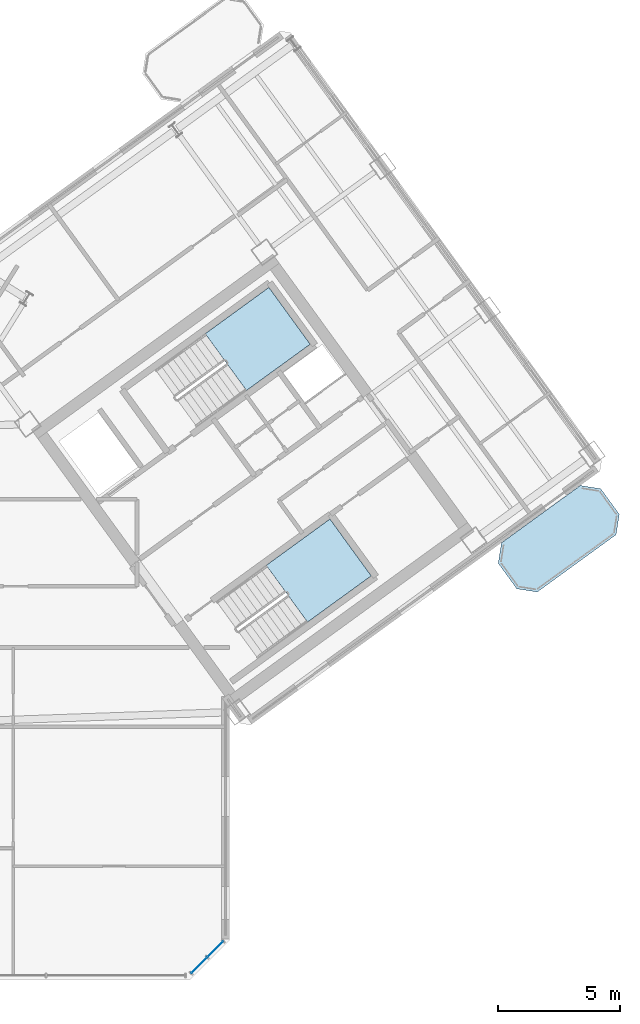
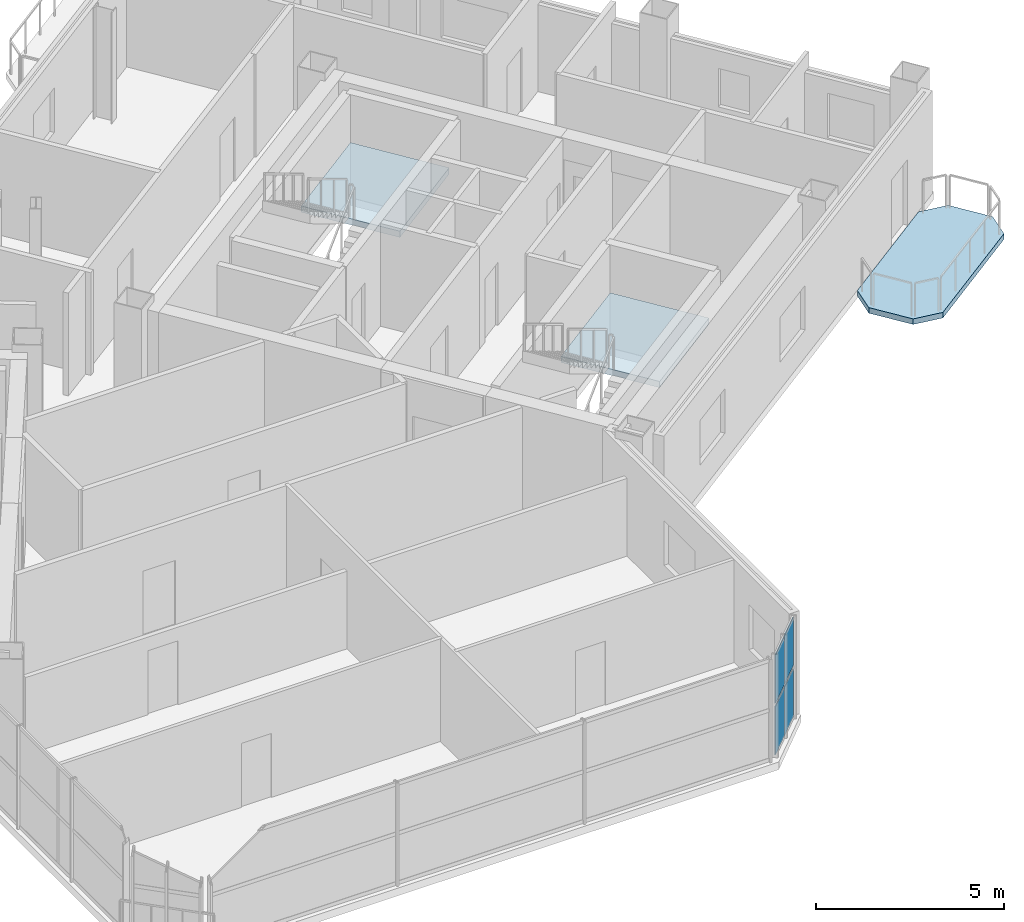
# One storey, part 10 of 21: 4 plates, 3 slabs, 3 elements without a shape of their own.
"""IFC4 building model written with IfcOpenShell, lengths in metres."""

from ifc_helpers import new_model, si_unit, direction, frame, origin, origin_2d, place, context, subcontext, project, spatial, polyline, rectangle, outline, extrude, source, transform, mapped, material, layer, layer_set, type_object, element, aggregate, save


model = new_model("IFC4")

# Units and contexts
model_context = context("Model", 3, precision=1e-05, world=origin(), true_north=direction((0.0, 1.0)))
body_context = subcontext(model_context, "Body", "Model", "MODEL_VIEW")
ifc_project = project(units=[si_unit("LENGTHUNIT", "METRE"), si_unit("AREAUNIT", "SQUARE_METRE"), si_unit("VOLUMEUNIT", "CUBIC_METRE"), si_unit("PLANEANGLEUNIT", "RADIAN"), si_unit("MASSUNIT", "GRAM", prefix="KILO")], contexts=[model_context])

# Site, building, storey
site_placement = place(None, origin())
site = spatial("IfcSite", under=ifc_project, at=site_placement, CompositionType="ELEMENT")
building_placement = place(site_placement, origin())
building = spatial("IfcBuilding", under=site, at=building_placement, Name="Tlacorven Tower", CompositionType="ELEMENT")
storey_placement = place(building_placement, frame((0.0, 0.0, 207.60009765625)))
storey = spatial("IfcBuildingStorey", under=building, at=storey_placement, Name="L52", CompositionType="ELEMENT", Elevation=207.60009765625)

# Slab
ifc_material_1 = material(Name="Precast concrete C45/55", Category="concrete")
ifc_layer_1 = layer(ifc_material_1, 0.179931640625)
ifc_layer_set_1 = layer_set([ifc_layer_1], Name="Precast concrete C45/55")
slab_type_1 = type_object("IfcSlabType", Name="SL-BAL-180", PredefinedType="USERDEFINED", material=ifc_layer_set_1)
slab_1_placement = place(storey_placement, frame((0.0, 0.0, -0.18017578125)))
element("IfcSlab", 1, at=slab_1_placement, inside=storey, type_object=slab_type_1, Name="L52 East Wing Balcony Ribbon OUT", ObjectType="BALCONY SLAB", PredefinedType="USERDEFINED", context=body_context, shape_type="SweptSolid", body=[
    extrude(outline(polyline([(65.025634765625, 17.69482421875), (68.26171875, 20.046142578125), (68.394287109375, 20.884033203125), (67.633056640625, 21.931884765625), (66.795166015625, 22.064453125), (63.55908203125, 19.71337890625), (63.42626953125, 18.875244140625), (64.1875, 17.82763671875), (65.025634765625, 17.69482421875)])), origin(), (0.0, 0.0, 1.0), 0.18017578125),
])

# Stair, slab
ifc_material_2 = material(Name="Concrete C40/50", Category="concrete")
stair_type = type_object("IfcStairType", Name="ST-CORE-DLG", PredefinedType="HALF_TURN_STAIR", material=ifc_material_2)
stair_1_placement = place(storey_placement, origin())
stair_1 = element("IfcStair", 2, at=stair_1_placement, inside=storey, type_object=stair_type, Name="L52 Protected Exit Stair East 1", PredefinedType="HALF_TURN_STAIR")
ifc_layer_2 = layer(ifc_material_2, 0.199951171875)
ifc_layer_set_2 = layer_set([ifc_layer_2], Name="Concrete C40/50")
slab_type_2 = type_object("IfcSlabType", Name="SL-LND-200", PredefinedType="LANDING", material=ifc_layer_set_2)
slab_2_placement = place(storey_placement, frame((0.0, 0.0, 1.599853515625)))
slab_2 = element("IfcSlab", 3, at=slab_2_placement, type_object=slab_type_2, Name="ST-E1 landing 1", PredefinedType="LANDING", context=body_context, shape_type="SweptSolid", body=[
    extrude(outline(polyline([(53.09765625, 25.962890625), (55.7109375, 27.861572265625), (54.01806640625, 30.19140625), (51.40478515625, 28.29296875), (53.09765625, 25.962890625)])), origin(), (0.0, 0.0, 1.0), 0.199951171875),
])
aggregate(stair_1, [slab_2])

stair_2_placement = place(storey_placement, origin())
stair_2 = element("IfcStair", 4, at=stair_2_placement, inside=storey, type_object=stair_type, Name="L52 Protected Exit Stair East 2", PredefinedType="HALF_TURN_STAIR")
slab_3_placement = place(storey_placement, frame((0.0, 0.0, 1.599853515625)))
slab_3 = element("IfcSlab", 5, at=slab_3_placement, type_object=slab_type_2, Name="ST-E2 landing 1", PredefinedType="LANDING", context=body_context, shape_type="SweptSolid", body=[
    extrude(outline(polyline([(55.601806640625, 16.4599609375), (58.21484375, 18.3583984375), (56.52197265625, 20.6884765625), (53.908935546875, 18.789794921875), (55.601806640625, 16.4599609375)])), origin(), (0.0, 0.0, 1.0), 0.199951171875),
])
aggregate(stair_2, [slab_3])

# Curtain wall, plates
ifc_material_3 = material(Name="Dark solar low-E double glazing in aluminium frame", Category="aluminium")
curtain_wall_type = type_object("IfcCurtainWallType", Name="CW-TWR-HIGH", PredefinedType="USERDEFINED", material=ifc_material_3)
curtain_wall_placement = place(storey_placement, origin())
curtain_wall = element("IfcCurtainWall", 6, at=curtain_wall_placement, inside=storey, type_object=curtain_wall_type, Name="L52 CW-TWR-HIGH Curtain Wall 236", ObjectType="UNITISED CURTAIN WALL", PredefinedType="USERDEFINED")
ifc_material_4 = material(Name="High-wind dark solar tempered low-E glazing", Category="glass")
ifc_layer_3 = layer(ifc_material_4, 0.028076171875)
ifc_layer_set_3 = layer_set([ifc_layer_3], Name="High-wind dark solar tempered low-E glazing")
plate_type = type_object("IfcPlateType", Name="CWP-03", PredefinedType="CURTAIN_PANEL", material=ifc_layer_set_3)
shared_shape = source(origin(), body_context, "Body", "SweptSolid", [
    extrude(rectangle(XDim=0.89306640625, YDim=0.028076171875, at=origin_2d()), origin(), (0.0, 0.0, 1.0), 1.572998046875),
])
plate_1_placement = place(storey_placement, frame((51.8173828125, 3.043701171875, 0.05078125), z_axis=(0.0, 0.0, 1.0), x_axis=(-0.707106781187, -0.707106781187, 0.0)))
plate_1 = element("IfcPlate", 7, at=plate_1_placement, type_object=plate_type, Name="CW-L52-236 Glazing Panel 1", PredefinedType="CURTAIN_PANEL", context=body_context, shape_type="MappedRepresentation", body=[
    mapped(shared_shape, transform((0.0, 0.0, 0.0), scale=1.0)),
])
plate_2_placement = place(storey_placement, frame((51.8173828125, 3.043701171875, 1.72607421875), z_axis=(0.0, 0.0, 1.0), x_axis=(-0.707106781187, -0.707106781187, 0.0)))
plate_2 = element("IfcPlate", 8, at=plate_2_placement, type_object=plate_type, Name="CW-L52-236 Glazing Panel 2", PredefinedType="CURTAIN_PANEL", context=body_context, shape_type="MappedRepresentation", body=[
    mapped(shared_shape, transform((0.0, 0.0, 0.0), scale=1.0)),
])
plate_3_placement = place(storey_placement, frame((51.15625, 2.382568359375, 0.05078125), z_axis=(0.0, 0.0, 1.0), x_axis=(-0.707106781187, -0.707106781187, 0.0)))
plate_3 = element("IfcPlate", 9, at=plate_3_placement, type_object=plate_type, Name="CW-L52-236 Glazing Panel 3", PredefinedType="CURTAIN_PANEL", context=body_context, shape_type="MappedRepresentation", body=[
    mapped(shared_shape, transform((0.0, 0.0, 0.0), scale=1.0)),
])
plate_4_placement = place(storey_placement, frame((51.15625, 2.382568359375, 1.72607421875), z_axis=(0.0, 0.0, 1.0), x_axis=(-0.707106781187, -0.707106781187, 0.0)))
plate_4 = element("IfcPlate", 10, at=plate_4_placement, type_object=plate_type, Name="CW-L52-236 Glazing Panel 4", PredefinedType="CURTAIN_PANEL", context=body_context, shape_type="MappedRepresentation", body=[
    mapped(shared_shape, transform((0.0, 0.0, 0.0), scale=1.0)),
])
aggregate(curtain_wall, [plate_1, plate_2, plate_3, plate_4])

save(model, "model.ifc")
